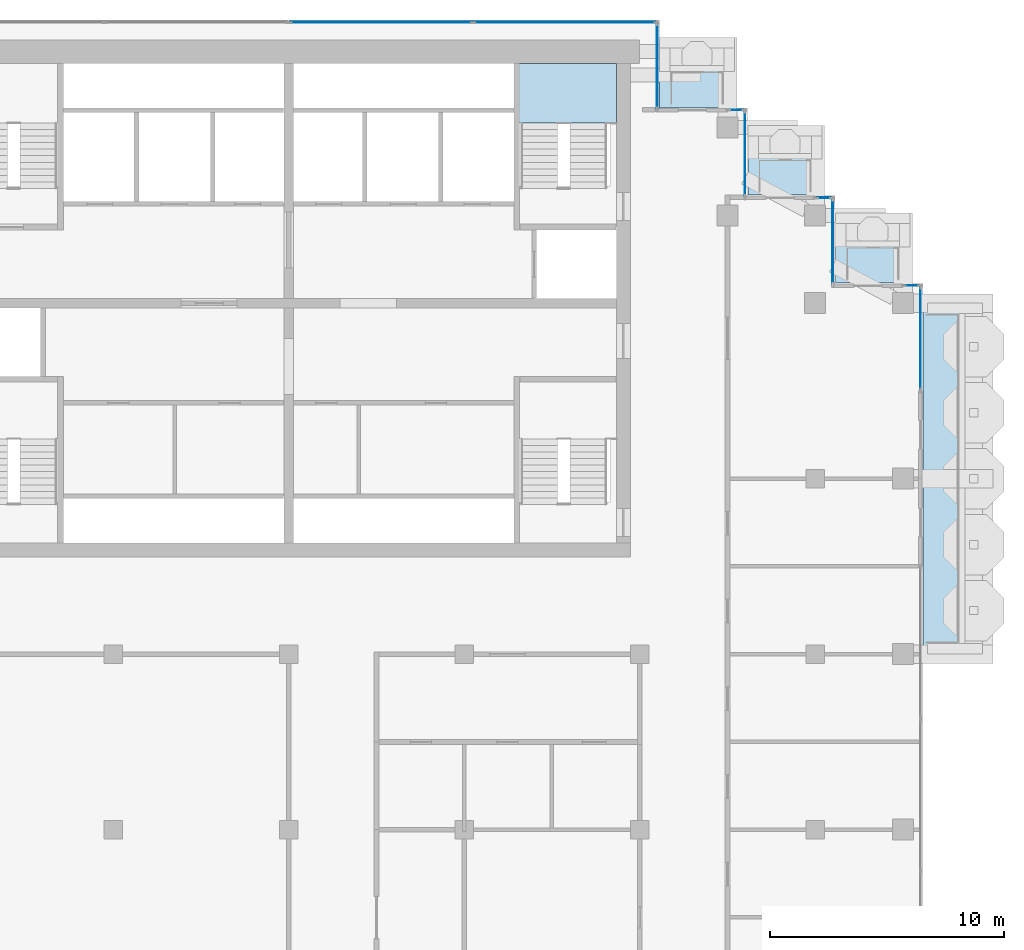
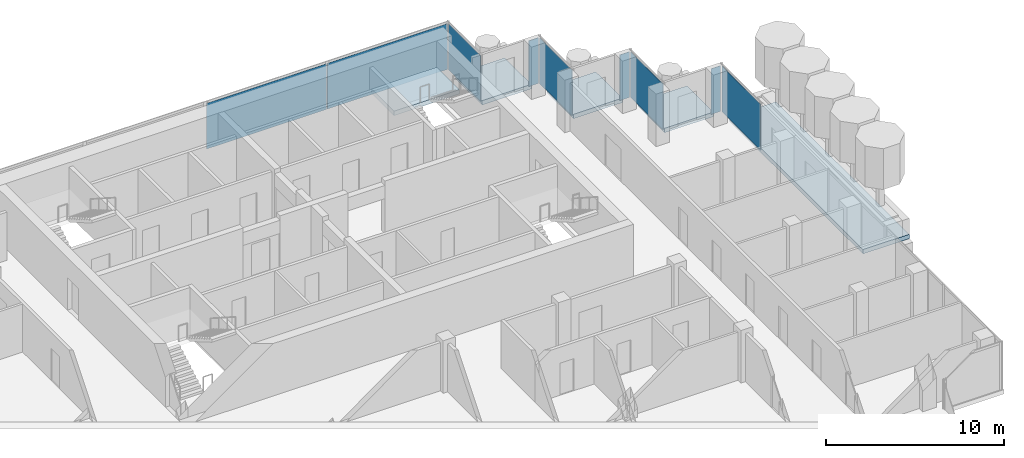
# One storey, part 10 of 19: 9 plates, 5 slabs, 9 elements without a shape of their own.
"""IFC4 building model written with IfcOpenShell, lengths in metres."""

from ifc_helpers import new_model, si_unit, direction, frame, origin, origin_2d, place, context, subcontext, project, spatial, polyline, rectangle, outline, extrude, material, layer, layer_set, type_object, element, aggregate, save


model = new_model("IFC4")

# Units and contexts
model_context = context("Model", 3, precision=1e-05, world=origin(), true_north=direction((0.0, 1.0)))
body_context = subcontext(model_context, "Body", "Model", "MODEL_VIEW")
ifc_project = project(units=[si_unit("LENGTHUNIT", "METRE"), si_unit("AREAUNIT", "SQUARE_METRE"), si_unit("VOLUMEUNIT", "CUBIC_METRE"), si_unit("PLANEANGLEUNIT", "RADIAN"), si_unit("MASSUNIT", "GRAM", prefix="KILO")], contexts=[model_context])

# Site, building, storey
site_placement = place(None, origin())
site = spatial("IfcSite", under=ifc_project, at=site_placement, CompositionType="ELEMENT")
building_placement = place(site_placement, origin())
building = spatial("IfcBuilding", under=site, at=building_placement, Name="Pilkhan Gate Tower", CompositionType="ELEMENT")
storey_placement = place(building_placement, frame((0.0, 0.0, 239.10009765625)))
storey = spatial("IfcBuildingStorey", under=building, at=storey_placement, Name="L62", CompositionType="ELEMENT", Elevation=239.10009765625)

# Slabs
ifc_material_1 = material(Name="Concrete C60/75", Category="concrete")
ifc_layer_1 = layer(ifc_material_1, 0.300048828125)
ifc_layer_set_1 = layer_set([ifc_layer_1], Name="Balcony tray slab TR300")
slab_type_1 = type_object("IfcSlabType", Name="Balcony tray slab TR300", PredefinedType="FLOOR", material=ifc_layer_set_1)
slab_1_placement = place(storey_placement, frame((0.0, 0.0, -0.300048828125)))
element("IfcSlab", 1, at=slab_1_placement, inside=storey, type_object=slab_type_1, Name="Balcony tray L62 E", PredefinedType="FLOOR", context=body_context, shape_type="SweptSolid", body=[
    extrude(outline(polyline([(105.10009765625, 67.5), (105.10009765625, 82.5), (102.10009765625, 82.5), (102.10009765625, 67.5), (105.10009765625, 67.5)])), origin(), (0.0, 0.0, 1.0), 0.300048828125),
])
slab_2_placement = place(storey_placement, frame((0.0, 0.0, -0.300048828125)))
element("IfcSlab", 2, at=slab_2_placement, inside=storey, type_object=slab_type_1, Name="Balcony tray L62 N", PredefinedType="FLOOR", context=body_context, shape_type="SweptSolid", body=[
    extrude(outline(polyline([(94.050048828125, 90.85009765625), (94.050048828125, 93.85009765625), (90.85009765625, 93.85009765625), (90.85009765625, 90.85009765625), (94.050048828125, 90.85009765625)])), origin(), (0.0, 0.0, 1.0), 0.300048828125),
])
slab_3_placement = place(storey_placement, frame((0.0, 0.0, -0.300048828125)))
element("IfcSlab", 3, at=slab_3_placement, inside=storey, type_object=slab_type_1, Name="Balcony tray L62 N", PredefinedType="FLOOR", context=body_context, shape_type="SweptSolid", body=[
    extrude(outline(polyline([(97.800048828125, 87.1201171875), (97.800048828125, 90.10009765625), (94.6201171875, 90.10009765625), (94.6201171875, 87.1201171875), (97.800048828125, 87.1201171875)])), origin(), (0.0, 0.0, 1.0), 0.300048828125),
])
slab_4_placement = place(storey_placement, frame((0.0, 0.0, -0.300048828125)))
element("IfcSlab", 4, at=slab_4_placement, inside=storey, type_object=slab_type_1, Name="Balcony tray L62 N", PredefinedType="FLOOR", context=body_context, shape_type="SweptSolid", body=[
    extrude(outline(polyline([(101.550048828125, 83.3701171875), (101.550048828125, 86.35009765625), (98.3701171875, 86.35009765625), (98.3701171875, 83.3701171875), (101.550048828125, 83.3701171875)])), origin(), (0.0, 0.0, 1.0), 0.300048828125),
])

# Curtain wall, plate
ifc_material_2 = material(Name="Pale anodised aluminium, clear low-iron double glazing", Category="aluminium")
curtain_wall_type = type_object("IfcCurtainWallType", Name="Office unitised curtain wall CW-O2", PredefinedType="USERDEFINED", material=ifc_material_2)
curtain_wall_1_placement = place(storey_placement, origin())
curtain_wall_1 = element("IfcCurtainWall", 5, at=curtain_wall_1_placement, inside=storey, type_object=curtain_wall_type, Name="Office unitised curtain wall CW-O2 L62 E", ObjectType="UNITISED CURTAIN WALL", PredefinedType="USERDEFINED")
ifc_material_3 = material(Name="Clear low-iron double glazing", Category="glass")
ifc_layer_2 = layer(ifc_material_3, 0.031982421875)
ifc_layer_set_2 = layer_set([ifc_layer_2], Name="Glass panel CW-O2 32")
plate_type = type_object("IfcPlateType", Name="Glass panel CW-O2 32", PredefinedType="CURTAIN_PANEL", material=ifc_layer_set_2)
plate_1_placement = place(storey_placement, frame((102.0, 81.0, 0.0), z_axis=(0.0, 0.0, 1.0), x_axis=(0.0, 1.0, 0.0)))
plate_1 = element("IfcPlate", 6, at=plate_1_placement, type_object=plate_type, Name="CW-O2 panel 1", PredefinedType="CURTAIN_PANEL", context=body_context, shape_type="SweptSolid", body=[
    extrude(rectangle(XDim=4.3701171875, YDim=0.031982421875, at=origin_2d()), origin(), (0.0, 0.0, 1.0), 3.135009765625),
])
aggregate(curtain_wall_1, [plate_1])

curtain_wall_2_placement = place(storey_placement, origin())
curtain_wall_2 = element("IfcCurtainWall", 7, at=curtain_wall_2_placement, inside=storey, type_object=curtain_wall_type, Name="Office unitised curtain wall CW-O2 L62 N", ObjectType="UNITISED CURTAIN WALL", PredefinedType="USERDEFINED")
plate_2_placement = place(storey_placement, frame((101.625, 83.25, 0.0), z_axis=(0.0, 0.0, 1.0), x_axis=(1.0, 0.0, 0.0)))
plate_2 = element("IfcPlate", 8, at=plate_2_placement, type_object=plate_type, Name="CW-O2 panel 1", PredefinedType="CURTAIN_PANEL", context=body_context, shape_type="SweptSolid", body=[
    extrude(rectangle(XDim=0.6201171875, YDim=0.031982421875, at=origin_2d()), origin(), (0.0, 0.0, 1.0), 3.135009765625),
])
aggregate(curtain_wall_2, [plate_2])

curtain_wall_3_placement = place(storey_placement, origin())
curtain_wall_3 = element("IfcCurtainWall", 9, at=curtain_wall_3_placement, inside=storey, type_object=curtain_wall_type, Name="Office unitised curtain wall CW-O2 L62 E", ObjectType="UNITISED CURTAIN WALL", PredefinedType="USERDEFINED")
plate_3_placement = place(storey_placement, frame((98.25, 85.125, 0.0), z_axis=(0.0, 0.0, 1.0), x_axis=(0.0, 1.0, 0.0)))
plate_3 = element("IfcPlate", 10, at=plate_3_placement, type_object=plate_type, Name="CW-O2 panel 1", PredefinedType="CURTAIN_PANEL", context=body_context, shape_type="SweptSolid", body=[
    extrude(rectangle(XDim=3.6201171875, YDim=0.031982421875, at=origin_2d()), origin(), (0.0, 0.0, 1.0), 3.135009765625),
])
aggregate(curtain_wall_3, [plate_3])

curtain_wall_4_placement = place(storey_placement, origin())
curtain_wall_4 = element("IfcCurtainWall", 11, at=curtain_wall_4_placement, inside=storey, type_object=curtain_wall_type, Name="Office unitised curtain wall CW-O2 L62 N", ObjectType="UNITISED CURTAIN WALL", PredefinedType="USERDEFINED")
plate_4_placement = place(storey_placement, frame((97.875, 87.0, 0.0), z_axis=(0.0, 0.0, 1.0), x_axis=(1.0, 0.0, 0.0)))
plate_4 = element("IfcPlate", 12, at=plate_4_placement, type_object=plate_type, Name="CW-O2 panel 1", PredefinedType="CURTAIN_PANEL", context=body_context, shape_type="SweptSolid", body=[
    extrude(rectangle(XDim=0.6201171875, YDim=0.031982421875, at=origin_2d()), origin(), (0.0, 0.0, 1.0), 3.135009765625),
])
aggregate(curtain_wall_4, [plate_4])

curtain_wall_5_placement = place(storey_placement, origin())
curtain_wall_5 = element("IfcCurtainWall", 13, at=curtain_wall_5_placement, inside=storey, type_object=curtain_wall_type, Name="Office unitised curtain wall CW-O2 L62 E", ObjectType="UNITISED CURTAIN WALL", PredefinedType="USERDEFINED")
plate_5_placement = place(storey_placement, frame((94.5, 88.875, 0.0), z_axis=(0.0, 0.0, 1.0), x_axis=(0.0, 1.0, 0.0)))
plate_5 = element("IfcPlate", 14, at=plate_5_placement, type_object=plate_type, Name="CW-O2 panel 1", PredefinedType="CURTAIN_PANEL", context=body_context, shape_type="SweptSolid", body=[
    extrude(rectangle(XDim=3.6201171875, YDim=0.031982421875, at=origin_2d()), origin(), (0.0, 0.0, 1.0), 3.135009765625),
])
aggregate(curtain_wall_5, [plate_5])

curtain_wall_6_placement = place(storey_placement, origin())
curtain_wall_6 = element("IfcCurtainWall", 15, at=curtain_wall_6_placement, inside=storey, type_object=curtain_wall_type, Name="Office unitised curtain wall CW-O2 L62 N", ObjectType="UNITISED CURTAIN WALL", PredefinedType="USERDEFINED")
plate_6_placement = place(storey_placement, frame((94.125, 90.75, 0.0), z_axis=(0.0, 0.0, 1.0), x_axis=(1.0, 0.0, 0.0)))
plate_6 = element("IfcPlate", 16, at=plate_6_placement, type_object=plate_type, Name="CW-O2 panel 1", PredefinedType="CURTAIN_PANEL", context=body_context, shape_type="SweptSolid", body=[
    extrude(rectangle(XDim=0.6201171875, YDim=0.031982421875, at=origin_2d()), origin(), (0.0, 0.0, 1.0), 3.135009765625),
])
aggregate(curtain_wall_6, [plate_6])

curtain_wall_7_placement = place(storey_placement, origin())
curtain_wall_7 = element("IfcCurtainWall", 17, at=curtain_wall_7_placement, inside=storey, type_object=curtain_wall_type, Name="Office unitised curtain wall CW-O2 L62 E", ObjectType="UNITISED CURTAIN WALL", PredefinedType="USERDEFINED")
plate_7_placement = place(storey_placement, frame((90.75, 92.625, 0.0), z_axis=(0.0, 0.0, 1.0), x_axis=(0.0, 1.0, 0.0)))
plate_7 = element("IfcPlate", 18, at=plate_7_placement, type_object=plate_type, Name="CW-O2 panel 1", PredefinedType="CURTAIN_PANEL", context=body_context, shape_type="SweptSolid", body=[
    extrude(rectangle(XDim=3.6201171875, YDim=0.031982421875, at=origin_2d()), origin(), (0.0, 0.0, 1.0), 3.135009765625),
])
aggregate(curtain_wall_7, [plate_7])

# Curtain wall, plates
curtain_wall_8_placement = place(storey_placement, origin())
curtain_wall_8 = element("IfcCurtainWall", 19, at=curtain_wall_8_placement, inside=storey, type_object=curtain_wall_type, Name="Office unitised curtain wall CW-O2 L62 N", ObjectType="UNITISED CURTAIN WALL", PredefinedType="USERDEFINED")
plate_8_placement = place(storey_placement, frame((78.953857421875, 94.5, 0.0), z_axis=(0.0, 0.0, 1.0), x_axis=(1.0, 0.0, 0.0)))
plate_8 = element("IfcPlate", 20, at=plate_8_placement, type_object=plate_type, Name="CW-O2 panel 1", PredefinedType="CURTAIN_PANEL", context=body_context, shape_type="SweptSolid", body=[
    extrude(rectangle(XDim=7.777587890625, YDim=0.031982421875, at=origin_2d()), origin(), (0.0, 0.0, 1.0), 3.135009765625),
])
plate_9_placement = place(storey_placement, frame((86.796142578125, 94.5, 0.0), z_axis=(0.0, 0.0, 1.0), x_axis=(1.0, 0.0, 0.0)))
plate_9 = element("IfcPlate", 21, at=plate_9_placement, type_object=plate_type, Name="CW-O2 panel 2", PredefinedType="CURTAIN_PANEL", context=body_context, shape_type="SweptSolid", body=[
    extrude(rectangle(XDim=7.777587890625, YDim=0.031982421875, at=origin_2d()), origin(), (0.0, 0.0, 1.0), 3.135009765625),
])
aggregate(curtain_wall_8, [plate_8, plate_9])

# Stair, slab
ifc_material_4 = material(Name="Concrete C40/50 precast", Category="concrete")
stair_type = type_object("IfcStairType", Name="Stair ST4 164x280", PredefinedType="HALF_TURN_STAIR", material=ifc_material_4)
stair_placement = place(storey_placement, origin())
stair = element("IfcStair", 22, at=stair_placement, inside=storey, type_object=stair_type, Name="Stair ST4 L62", PredefinedType="HALF_TURN_STAIR")
ifc_material_5 = material(Name="Concrete C40/50", Category="concrete")
ifc_layer_3 = layer(ifc_material_5, 0.199951171875)
ifc_layer_set_3 = layer_set([ifc_layer_3], Name="Stair landing SL200")
slab_type_2 = type_object("IfcSlabType", Name="Stair landing SL200", PredefinedType="LANDING", material=ifc_layer_set_3)
slab_5_placement = place(storey_placement, frame((0.0, 0.0, 1.5)))
slab_5 = element("IfcSlab", 23, at=slab_5_placement, type_object=slab_type_2, Name="ST4 landing 1", PredefinedType="LANDING", context=body_context, shape_type="SweptSolid", body=[
    extrude(outline(polyline([(89.0, 90.199951171875), (89.0, 92.75), (84.75, 92.75), (84.75, 90.199951171875), (89.0, 90.199951171875)])), origin(), (0.0, 0.0, 1.0), 0.2998046875),
])
aggregate(stair, [slab_5])

save(model, "model.ifc")
